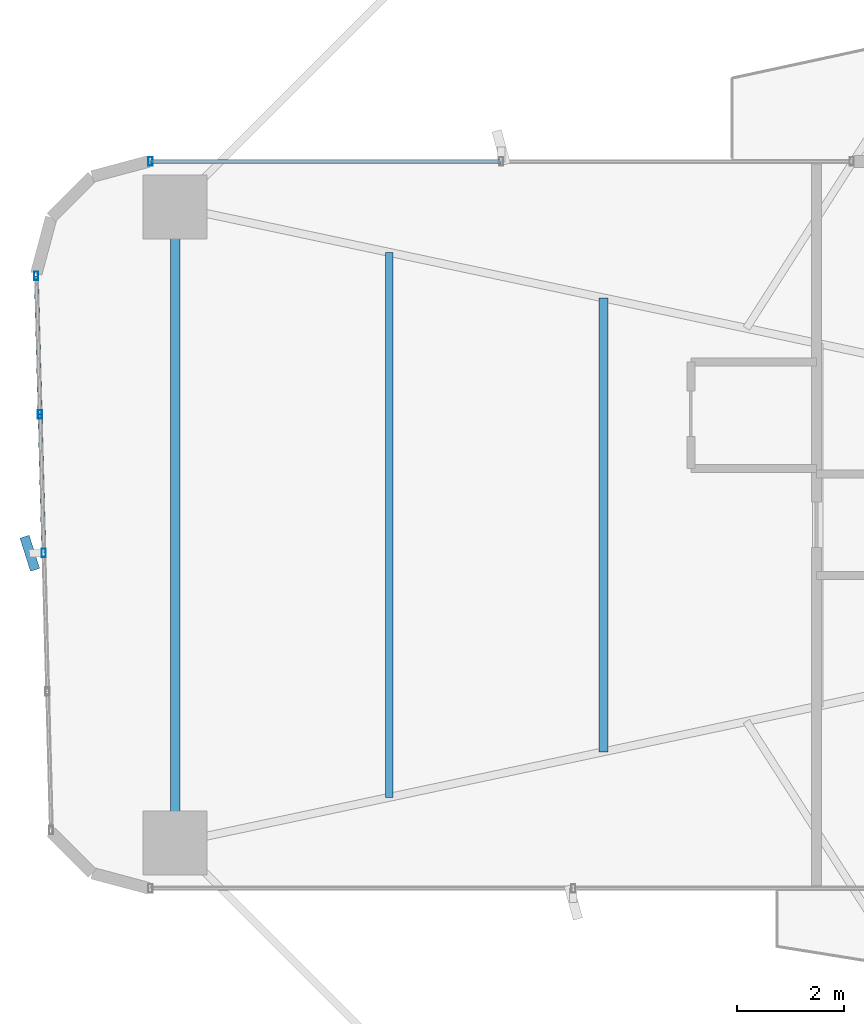
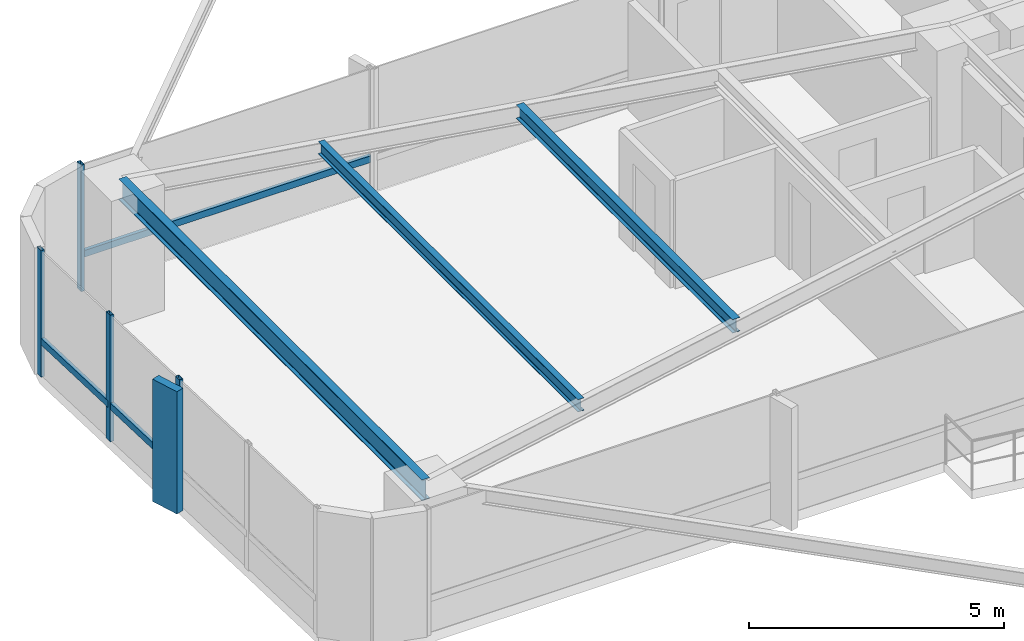
# One storey, part 8 of 25: 8 members, 3 beams, 2 elements without a shape of their own.
"""IFC4 building model written with IfcOpenShell, lengths in metres."""

from ifc_helpers import new_model, si_unit, direction, frame, origin, origin_2d, place, context, subcontext, project, spatial, rectangle, hollow_rectangle, i_section, extrude, source, transform, mapped, material, material_profile, profile_set, type_object, element, aggregate, save


model = new_model("IFC4")

# Units and contexts
model_context = context("Model", 3, precision=1e-05, world=origin(), true_north=direction((0.0, 1.0)))
body_context = subcontext(model_context, "Body", "Model", "MODEL_VIEW")
ifc_project = project(units=[si_unit("LENGTHUNIT", "METRE"), si_unit("AREAUNIT", "SQUARE_METRE"), si_unit("VOLUMEUNIT", "CUBIC_METRE"), si_unit("PLANEANGLEUNIT", "RADIAN"), si_unit("MASSUNIT", "GRAM", prefix="KILO")], contexts=[model_context])

# Site, building, storey
site_placement = place(None, origin())
site = spatial("IfcSite", under=ifc_project, at=site_placement, CompositionType="ELEMENT")
building_placement = place(site_placement, origin())
building = spatial("IfcBuilding", under=site, at=building_placement, Name="Sahyath Konkavel Grand Hotel", CompositionType="ELEMENT")
storey_placement = place(building_placement, frame((0.0, 0.0, 71.14990234375)))
storey = spatial("IfcBuildingStorey", under=building, at=storey_placement, Name="L19", CompositionType="ELEMENT", Elevation=71.14990234375)

# Beams
ifc_material_1 = material(Name="Steel E350", Category="steel")
ifc_material_profile_1 = material_profile(ifc_material_1, i_section(OverallWidth=0.179931640625, OverallDepth=0.5, WebThickness=0.01025390625, FlangeThickness=0.01708984375, FilletRadius=0.01708984375, at=origin_2d()), Name="ISMB 500")
ifc_profile_set_1 = profile_set([ifc_material_profile_1], Name="Steel E350")
beam_type_1 = type_object("IfcBeamType", Name="BM-ISMB500", PredefinedType="BEAM", material=ifc_profile_set_1)
shared_shape_1 = source(origin(), body_context, "Body", "SweptSolid", [
    extrude(i_section(OverallWidth=0.179931640625, OverallDepth=0.5, WebThickness=0.01025390625, FlangeThickness=0.01708984375, FilletRadius=0.01708984375, at=origin_2d()), origin(), (0.0, 0.0, 1.0), 11.89990234375),
])
beam_1_placement = place(storey_placement, frame((-22.199951171875, 5.949951171875, 2.780029296875), z_axis=(0.0, -1.0, 0.0), x_axis=(1.0, 0.0, 0.0)))
element("IfcBeam", 1, at=beam_1_placement, inside=storey, type_object=beam_type_1, Name="L19 Wing Tip Edge Beam W", PredefinedType="BEAM", context=body_context, shape_type="MappedRepresentation", body=[
    mapped(shared_shape_1, transform((0.0, 0.0, 0.0), scale=1.0)),
])
ifc_material_profile_2 = material_profile(ifc_material_1, i_section(OverallWidth=0.1650390625, OverallDepth=0.324951171875, WebThickness=0.007080078125, FlangeThickness=0.009765625, FilletRadius=0.014892578125, at=origin_2d()), Name="ISLB 325")
ifc_profile_set_2 = profile_set([ifc_material_profile_2], Name="Steel E350")
beam_type_2 = type_object("IfcBeamType", Name="BM-ISLB325", PredefinedType="BEAM", material=ifc_profile_set_2)
shared_shape_2 = source(origin(), body_context, "Body", "SweptSolid", [
    extrude(i_section(OverallWidth=0.1650390625, OverallDepth=0.324951171875, WebThickness=0.007080078125, FlangeThickness=0.009765625, FilletRadius=0.014892578125, at=origin_2d()), origin(), (0.0, 0.0, 1.0), 8.4921875),
])
beam_2_placement = place(storey_placement, frame((-14.18408203125, 4.24609375, 2.86767578125), z_axis=(0.0, -1.0, 0.0), x_axis=(1.0, 0.0, 0.0)))
element("IfcBeam", 2, at=beam_2_placement, inside=storey, type_object=beam_type_2, Name="L19 Secondary Floor Beam W-2", PredefinedType="BEAM", context=body_context, shape_type="MappedRepresentation", body=[
    mapped(shared_shape_2, transform((0.0, 0.0, 0.0), scale=1.0)),
])
ifc_material_profile_3 = material_profile(ifc_material_1, i_section(OverallWidth=0.139892578125, OverallDepth=0.300048828125, WebThickness=0.0078125, FlangeThickness=0.01318359375, FilletRadius=0.013916015625, at=origin_2d()), Name="ISMB 300")
ifc_profile_set_3 = profile_set([ifc_material_profile_3], Name="Steel E350")
beam_type_3 = type_object("IfcBeamType", Name="BM-ISMB300", PredefinedType="BEAM", material=ifc_profile_set_3)
shared_shape_3 = source(origin(), body_context, "Body", "SweptSolid", [
    extrude(i_section(OverallWidth=0.139892578125, OverallDepth=0.300048828125, WebThickness=0.0078125, FlangeThickness=0.01318359375, FilletRadius=0.013916015625, at=origin_2d()), origin(), (0.0, 0.0, 1.0), 10.19580078125),
])
beam_3_placement = place(storey_placement, frame((-18.19189453125, 5.097900390625, 2.880126953125), z_axis=(0.0, -1.0, 0.0), x_axis=(1.0, 0.0, 0.0)))
element("IfcBeam", 3, at=beam_3_placement, inside=storey, type_object=beam_type_3, Name="L19 Secondary Floor Beam W-3", PredefinedType="BEAM", context=body_context, shape_type="MappedRepresentation", body=[
    mapped(shared_shape_3, transform((0.0, 0.0, 0.0), scale=1.0)),
])

# Curtain wall, members
ifc_material_2 = material(Name="Anodised Bronze Aluminium & Low-E Glazing", Category="aluminium")
curtain_wall_type = type_object("IfcCurtainWallType", Name="CW-ZONE1", PredefinedType="NOTDEFINED", material=ifc_material_2)
curtain_wall_1_placement = place(storey_placement, origin())
curtain_wall_1 = element("IfcCurtainWall", 4, at=curtain_wall_1_placement, inside=storey, type_object=curtain_wall_type, Name="L19 Unitised Curtain Wall F20", PredefinedType="NOTDEFINED")
ifc_material_3 = material(Name="Anodised Bronze Aluminium", Category="aluminium")
ifc_material_profile_4 = material_profile(ifc_material_3, hollow_rectangle(XDim=0.080078125, YDim=0.159912109375, WallThickness=0.006103515625, at=origin_2d()), Name="RHS 160x80x6")
ifc_profile_set_4 = profile_set([ifc_material_profile_4], Name="Anodised Bronze Aluminium")
member_type_1 = type_object("IfcMemberType", Name="CW-TRN-160", PredefinedType="USERDEFINED", material=ifc_profile_set_4)
shared_shape_4 = source(origin(), body_context, "Body", "SweptSolid", [
    extrude(hollow_rectangle(XDim=0.080078125, YDim=0.159912109375, WallThickness=0.006103515625, at=origin_2d()), origin(), (0.0, 0.0, 1.0), 2.593505859375),
])
member_1_placement = place(storey_placement, frame((-24.798828125, 4.659912109375, 0.85009765625), z_axis=(0.026923093252, -0.999637507825, 0.0), x_axis=(0.999637507825, 0.026923093252, 0.0)))
member_1 = element("IfcMember", 5, at=member_1_placement, type_object=member_type_1, Name="L19 Curtain Wall Transom F20-0-spandrel", ObjectType="TRANSOM", PredefinedType="USERDEFINED", context=body_context, shape_type="MappedRepresentation", body=[
    mapped(shared_shape_4, transform((0.0, 0.0, 0.0), scale=1.0)),
])
shared_shape_5 = source(origin(), body_context, "Body", "SweptSolid", [
    extrude(hollow_rectangle(XDim=0.080078125, YDim=0.159912109375, WallThickness=0.006103515625, at=origin_2d()), origin(), (0.0, 0.0, 1.0), 2.59326171875),
])
member_2_placement = place(storey_placement, frame((-24.72900390625, 2.0673828125, 0.85009765625), z_axis=(0.026925627022, -0.99963743958, 0.0), x_axis=(0.99963743958, 0.026925627022, 0.0)))
member_2 = element("IfcMember", 6, at=member_2_placement, type_object=member_type_1, Name="L19 Curtain Wall Transom F20-1-spandrel", ObjectType="TRANSOM", PredefinedType="USERDEFINED", context=body_context, shape_type="MappedRepresentation", body=[
    mapped(shared_shape_5, transform((0.0, 0.0, 0.0), scale=1.0)),
])

curtain_wall_2_placement = place(storey_placement, origin())
curtain_wall_2 = element("IfcCurtainWall", 7, at=curtain_wall_2_placement, inside=storey, type_object=curtain_wall_type, Name="L19 Unitised Curtain Wall F16", PredefinedType="NOTDEFINED")
shared_shape_6 = source(origin(), body_context, "Body", "SweptSolid", [
    extrude(hollow_rectangle(XDim=0.080078125, YDim=0.159912109375, WallThickness=0.006103515625, at=origin_2d()), origin(), (0.0, 0.0, 1.0), 6.559814453125),
])
member_3_placement = place(storey_placement, frame((-16.10009765625, 6.800048828125, 0.85009765625), z_axis=(-1.0, 0.0, 0.0), x_axis=(0.0, -1.0, 0.0)))
member_3 = element("IfcMember", 8, at=member_3_placement, type_object=member_type_1, Name="L19 Curtain Wall Transom F16-1-spandrel", ObjectType="TRANSOM", PredefinedType="USERDEFINED", context=body_context, shape_type="MappedRepresentation", body=[
    mapped(shared_shape_6, transform((0.0, 0.0, 0.0), scale=1.0)),
])
ifc_material_profile_5 = material_profile(ifc_material_3, hollow_rectangle(XDim=0.080078125, YDim=0.159912109375, WallThickness=0.006103515625, at=origin_2d()), Name="RHS 160x80x6")
ifc_profile_set_5 = profile_set([ifc_material_profile_5], Name="Anodised Bronze Aluminium")
member_type_2 = type_object("IfcMemberType", Name="CW-MUL-160", PredefinedType="MULLION", material=ifc_profile_set_5)
shared_shape_7 = source(origin(), body_context, "Body", "SweptSolid", [
    extrude(hollow_rectangle(XDim=0.080078125, YDim=0.159912109375, WallThickness=0.006103515625, at=origin_2d()), origin(), (0.0, 0.0, 1.0), 3.030029296875),
])
member_4_placement = place(storey_placement, frame((-22.659912109375, 6.800048828125, 0.0), z_axis=(0.0, 0.0, 1.0), x_axis=(1.0, 0.0, 0.0)))
member_4 = element("IfcMember", 9, at=member_4_placement, type_object=member_type_2, Name="L19 Curtain Wall Mullion F16-2", PredefinedType="MULLION", context=body_context, shape_type="MappedRepresentation", body=[
    mapped(shared_shape_7, transform((0.0, 0.0, 0.0), scale=1.0)),
])
aggregate(curtain_wall_2, [member_4, member_3])

# Member
member_5_placement = place(storey_placement, frame((-24.798828125, 4.659912109375, 0.0), z_axis=(0.0, 0.0, 1.0), x_axis=(1.0, 0.0, 0.0)))
member_5 = element("IfcMember", 10, at=member_5_placement, type_object=member_type_2, Name="L19 Curtain Wall Mullion F20-0", PredefinedType="MULLION", context=body_context, shape_type="MappedRepresentation", body=[
    mapped(shared_shape_7, transform((0.0, 0.0, 0.0), scale=1.0)),
])

member_6_placement = place(storey_placement, frame((-24.72900390625, 2.0673828125, 0.0), z_axis=(0.0, 0.0, 1.0), x_axis=(1.0, 0.0, 0.0)))
member_6 = element("IfcMember", 11, at=member_6_placement, type_object=member_type_2, Name="L19 Curtain Wall Mullion F20-1", PredefinedType="MULLION", context=body_context, shape_type="MappedRepresentation", body=[
    mapped(shared_shape_7, transform((0.0, 0.0, 0.0), scale=1.0)),
])

member_7_placement = place(storey_placement, frame((-24.6591796875, -0.52490234375, 0.0), z_axis=(0.0, 0.0, 1.0), x_axis=(1.0, 0.0, 0.0)))
member_7 = element("IfcMember", 12, at=member_7_placement, type_object=member_type_2, Name="L19 Curtain Wall Mullion F20-2", PredefinedType="MULLION", context=body_context, shape_type="MappedRepresentation", body=[
    mapped(shared_shape_7, transform((0.0, 0.0, 0.0), scale=1.0)),
])

ifc_material_4 = material(Name="Warm Buff Sandstone Cladding on Concrete C50/60", Category="masonry")
ifc_material_profile_6 = material_profile(ifc_material_4, rectangle(XDim=0.179931640625, YDim=0.64990234375, at=origin_2d()), Name="FIN 180x650")
ifc_profile_set_6 = profile_set([ifc_material_profile_6], Name="Warm Buff Sandstone Cladding on Concrete C50/60")
member_type_3 = type_object("IfcMemberType", Name="FIN-SANDSTONE-650", PredefinedType="MULLION", material=ifc_profile_set_6)
shared_shape_8 = source(origin(), body_context, "Body", "SweptSolid", [
    extrude(rectangle(XDim=0.179931640625, YDim=0.64990234375, at=origin_2d()), origin(), (0.0, 0.0, 1.0), 2.929931640625),
])
member_8_placement = place(storey_placement, frame((-24.919189453125, -0.531982421875, 0.050048828125), z_axis=(0.0, 0.0, 1.0), x_axis=(0.953348857629, 0.301870759858, 0.0)))
member_8 = element("IfcMember", 13, at=member_8_placement, type_object=member_type_3, Name="L19 Sandstone Vertical Solar Fin FIN F20-2", PredefinedType="MULLION", context=body_context, shape_type="MappedRepresentation", body=[
    mapped(shared_shape_8, transform((0.0, 0.0, 0.0), scale=1.0)),
])

aggregate(curtain_wall_1, [member_5, member_6, member_7, member_8, member_1, member_2])

save(model, "model.ifc")
